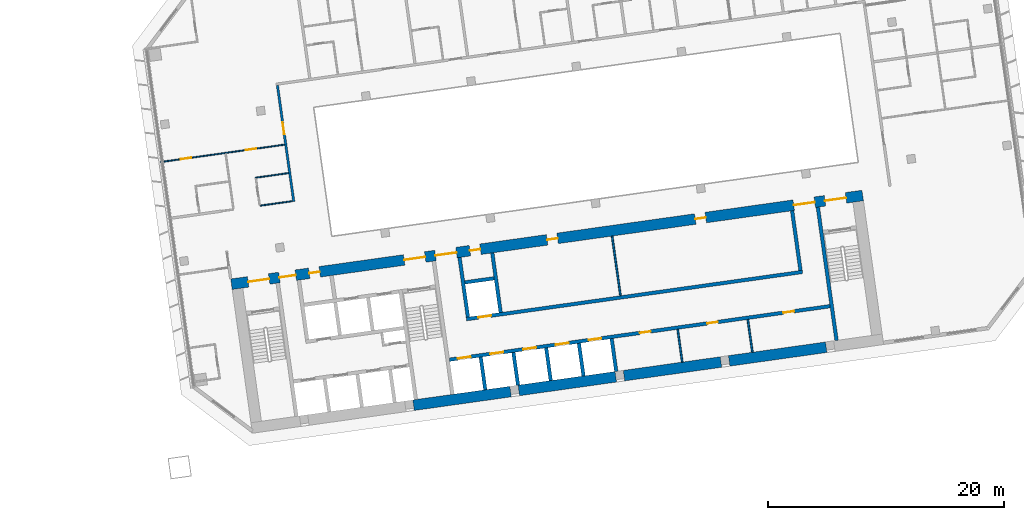
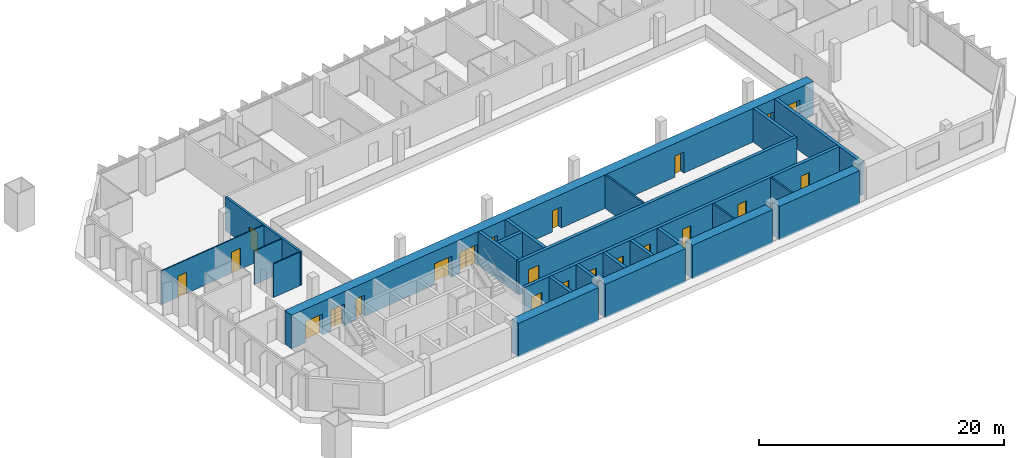
# One storey, part 20 of 25: 24 walls, 22 doors, 22 openings.
"""IFC4 building model written with IfcOpenShell, lengths in metres."""

from ifc_helpers import new_model, si_unit, direction, frame, frame_2d, origin, place, context, subcontext, project, spatial, rectangle, extrude, material, layer, layer_set, type_object, element, fill, save


model = new_model("IFC4")

# Units and contexts
model_context = context("Model", 3, precision=1e-05, world=origin(), true_north=direction((0.0, 1.0)))
body_context = subcontext(model_context, "Body", "Model", "MODEL_VIEW")
ifc_project = project(units=[si_unit("LENGTHUNIT", "METRE"), si_unit("AREAUNIT", "SQUARE_METRE"), si_unit("VOLUMEUNIT", "CUBIC_METRE"), si_unit("PLANEANGLEUNIT", "RADIAN"), si_unit("MASSUNIT", "GRAM", prefix="KILO")], contexts=[model_context])

# Site, building, storey
site_placement = place(None, origin())
site = spatial("IfcSite", under=ifc_project, at=site_placement, CompositionType="ELEMENT")
building_placement = place(site_placement, origin())
building = spatial("IfcBuilding", under=site, at=building_placement, Name="Mirante Cascada Hotel Towers", CompositionType="ELEMENT")
storey_placement = place(building_placement, frame((0.0, 0.0, 62.3)))
storey = spatial("IfcBuildingStorey", under=building, at=storey_placement, Name="L12", CompositionType="ELEMENT", Elevation=62.3)

# Wall, opening, door
ifc_material_1 = material(Name="Fire-rated plasterboard on metal studs")
ifc_layer_1 = layer(ifc_material_1, 0.2)
ifc_layer_set_1 = layer_set([ifc_layer_1], Name="Compartment wall 200 EI 120")
wall_type_1 = type_object("IfcWallType", Name="Compartment wall 200 EI 120", PredefinedType="PARTITIONING", material=ifc_layer_set_1)
wall_1_placement = place(storey_placement, frame((40.6028, -0.5604, 0.0), z_axis=(0.0, 0.0, 1.0), x_axis=(-0.1391655, 0.9902691, 0.0)))
wall_1 = element("IfcWall", 1, at=wall_1_placement, inside=storey, type_object=wall_type_1, Name="Wall 2-L12-37", PredefinedType="PARTITIONING", context=body_context, shape_type="SweptSolid", body=[
    extrude(rectangle(XDim=9.95, YDim=0.2, at=frame_2d((4.975, 0.0))), origin(), (0.0, 0.0, 1.0), 3.35),
])
opening_1_placement = place(wall_1_placement, frame((5.7666, 0.0, 0.0)))
opening_1 = element("IfcOpeningElement", 2, at=opening_1_placement, cuts=wall_1, Name="Opening D2-L12-31", PredefinedType="OPENING", context=body_context, shape_type="SweptSolid", body=[
    extrude(rectangle(XDim=1.0, YDim=2.1, at=frame_2d((0.5, 1.05))), frame((0.0, 0.1, 0.0), z_axis=(0.0, -1.0, 0.0), x_axis=(1.0, 0.0, 0.0)), (0.0, 0.0, 1.0), 0.2),
])
ifc_material_2 = material(Name="Fire-rated timber door leaf", Category="wood")
door_type_1 = type_object("IfcDoorType", Name="Entrance door DG1 1000x2100 EI 60", OperationType="SINGLE_SWING_LEFT", PredefinedType="DOOR", material=ifc_material_2)
door_1_placement = place(opening_1_placement, origin())
door_1 = element("IfcDoor", 3, at=door_1_placement, inside=storey, type_object=door_type_1, Name="Door D2-L12-31", OperationType="SINGLE_SWING_LEFT", OverallHeight=2.1, OverallWidth=1.0, PredefinedType="DOOR", context=body_context, shape_type="SweptSolid", body=[
    extrude(rectangle(XDim=1.0, YDim=2.1, at=frame_2d((0.5, 1.05))), frame((0.0, 0.025, 0.0), z_axis=(0.0, -1.0, 0.0), x_axis=(1.0, 0.0, 0.0)), (0.0, 0.0, 1.0), 0.05),
])
fill(opening_1, door_1)

# Walls
ifc_material_3 = material(Name="Masonry block", Category="masonry")
ifc_layer_2 = layer(ifc_material_3, 0.15)
ifc_layer_set_2 = layer_set([ifc_layer_2], Name="Core room partition 150 block EI 30")
wall_type_2 = type_object("IfcWallType", Name="Core room partition 150 block EI 30", PredefinedType="PARTITIONING", material=ifc_layer_set_2)
wall_2_placement = place(storey_placement, frame((73.5161, -14.1621, 0.0), z_axis=(0.0, 0.0, 1.0), x_axis=(-0.139176, 0.9902677, 0.0)))
element("IfcWall", 4, at=wall_2_placement, inside=storey, type_object=wall_type_2, Name="Core wall partition T2 L12 4", PredefinedType="PARTITIONING", context=body_context, shape_type="SweptSolid", body=[
    extrude(rectangle(XDim=2.8001, YDim=0.15, at=frame_2d((1.4, 0.0))), origin(), (0.0, 0.0, 1.0), 3.35),
])
wall_3_placement = place(storey_placement, frame((79.4577, -13.327, 0.0), z_axis=(0.0, 0.0, 1.0), x_axis=(-0.1391459, 0.9902719, 0.0)))
element("IfcWall", 5, at=wall_3_placement, inside=storey, type_object=wall_type_2, Name="Core wall partition T2 L12 5", PredefinedType="PARTITIONING", context=body_context, shape_type="SweptSolid", body=[
    extrude(rectangle(XDim=2.7999, YDim=0.15, at=frame_2d((1.4, 0.0))), origin(), (0.0, 0.0, 1.0), 3.35),
])
wall_4_placement = place(storey_placement, frame((68.2822, -8.5358, 0.0), z_axis=(0.0, 0.0, 1.0), x_axis=(-0.1391755, 0.9902677, 0.0)))
element("IfcWall", 6, at=wall_4_placement, inside=storey, type_object=wall_type_2, Name="Core wall partition T2 L12 6", PredefinedType="PARTITIONING", context=body_context, shape_type="SweptSolid", body=[
    extrude(rectangle(XDim=5.1, YDim=0.15, at=frame_2d((2.55, 0.0))), origin(), (0.0, 0.0, 1.0), 3.35),
])
ifc_material_4 = material(Name="Plasterboard on metal studs")
ifc_layer_3 = layer(ifc_material_4, 0.1)
ifc_layer_set_3 = layer_set([ifc_layer_3], Name="Partition 100")
wall_type_3 = type_object("IfcWallType", Name="Partition 100", PredefinedType="PARTITIONING", material=ifc_layer_set_3)
wall_5_placement = place(storey_placement, frame((40.4671, -0.5289, 0.0), z_axis=(0.0, 0.0, 1.0), x_axis=(-0.9902645, -0.1391984, 0.0)))
element("IfcWall", 7, at=wall_5_placement, inside=storey, type_object=wall_type_3, Name="Wall 2-L12-06", PredefinedType="PARTITIONING", context=body_context, shape_type="SweptSolid", body=[
    extrude(rectangle(XDim=2.74, YDim=0.1, at=frame_2d((1.37, 0.0))), origin(), (0.0, 0.0, 1.0), 3.35),
])
wall_6_placement = place(storey_placement, frame((37.3406, 1.4552, 0.0), z_axis=(0.0, 0.0, 1.0), x_axis=(0.9902649, 0.1391957, 0.0)))
element("IfcWall", 8, at=wall_6_placement, inside=storey, type_object=wall_type_3, Name="Wall 2-L12-09", PredefinedType="PARTITIONING", context=body_context, shape_type="SweptSolid", body=[
    extrude(rectangle(XDim=2.8499, YDim=0.1, at=frame_2d((1.425, 0.0))), origin(), (0.0, 0.0, 1.0), 3.35),
])

# Wall, openings, doors
wall_7_placement = place(storey_placement, frame((39.8242, 4.2615, 0.0), z_axis=(0.0, 0.0, 1.0), x_axis=(-0.9902686, -0.1391691, 0.0)))
wall_7 = element("IfcWall", 9, at=wall_7_placement, inside=storey, type_object=wall_type_3, Name="Wall 2-L12-12", PredefinedType="PARTITIONING", context=body_context, shape_type="SweptSolid", body=[
    extrude(rectangle(XDim=10.6001, YDim=0.1, at=frame_2d((5.3, 0.0))), origin(), (0.0, 0.0, 1.0), 3.35),
])
opening_2_placement = place(wall_7_placement, frame((7.975, 0.0, 0.0)))
opening_2 = element("IfcOpeningElement", 10, at=opening_2_placement, cuts=wall_7, Name="Opening D2-L12-04", PredefinedType="OPENING", context=body_context, shape_type="SweptSolid", body=[
    extrude(rectangle(XDim=0.9, YDim=2.1, at=frame_2d((0.45, 1.05))), frame((0.0, 0.05, 0.0), z_axis=(0.0, -1.0, 0.0), x_axis=(1.0, 0.0, 0.0)), (0.0, 0.0, 1.0), 0.1),
])
opening_3_placement = place(wall_7_placement, frame((2.425, 0.0, 0.0)))
opening_3 = element("IfcOpeningElement", 11, at=opening_3_placement, cuts=wall_7, Name="Opening D2-L12-05", PredefinedType="OPENING", context=body_context, shape_type="SweptSolid", body=[
    extrude(rectangle(XDim=0.9, YDim=2.1, at=frame_2d((0.45, 1.05))), frame((0.0, 0.05, 0.0), z_axis=(0.0, -1.0, 0.0), x_axis=(1.0, 0.0, 0.0)), (0.0, 0.0, 1.0), 0.1),
])
ifc_material_5 = material(Name="Timber door leaf", Category="wood")
door_type_2 = type_object("IfcDoorType", Name="Room door DG3 900x2100", OperationType="SINGLE_SWING_LEFT", PredefinedType="DOOR", material=ifc_material_5)
door_2_placement = place(opening_2_placement, frame((0.9, 0.0, 0.0), z_axis=(0.0, 0.0, 1.0), x_axis=(-1.0, 0.0, 0.0)))
door_2 = element("IfcDoor", 12, at=door_2_placement, inside=storey, type_object=door_type_2, Name="Door D2-L12-04", OperationType="SINGLE_SWING_RIGHT", OverallHeight=2.1, OverallWidth=0.9, PredefinedType="DOOR", context=body_context, shape_type="SweptSolid", body=[
    extrude(rectangle(XDim=0.9, YDim=2.1, at=frame_2d((0.45, 1.05))), frame((0.0, 0.025, 0.0), z_axis=(0.0, -1.0, 0.0), x_axis=(1.0, 0.0, 0.0)), (0.0, 0.0, 1.0), 0.05),
])
fill(opening_2, door_2)
door_3_placement = place(opening_3_placement, frame((0.9, 0.0, 0.0), z_axis=(0.0, 0.0, 1.0), x_axis=(-1.0, 0.0, 0.0)))
door_3 = element("IfcDoor", 13, at=door_3_placement, inside=storey, type_object=door_type_2, Name="Door D2-L12-05", OperationType="SINGLE_SWING_RIGHT", OverallHeight=2.1, OverallWidth=0.9, PredefinedType="DOOR", context=body_context, shape_type="SweptSolid", body=[
    extrude(rectangle(XDim=0.9, YDim=2.1, at=frame_2d((0.45, 1.05))), frame((0.0, 0.025, 0.0), z_axis=(0.0, -1.0, 0.0), x_axis=(1.0, 0.0, 0.0)), (0.0, 0.0, 1.0), 0.05),
])
fill(opening_3, door_3)

# Wall
ifc_material_6 = material(Name="Concrete C50/60", Category="concrete")
ifc_layer_4 = layer(ifc_material_6, 0.3)
ifc_layer_set_4 = layer_set([ifc_layer_4], Name="RC core wall 300 C50/60")
wall_type_4 = type_object("IfcWallType", Name="RC core wall 300 C50/60", PredefinedType="SHEAR", material=ifc_layer_set_4)
wall_8_placement = place(storey_placement, frame((86.5877, -12.325, 0.0), z_axis=(0.0, 0.0, 1.0), x_axis=(-0.1391749, 0.9902678, 0.0)))
element("IfcWall", 14, at=wall_8_placement, inside=storey, type_object=wall_type_4, Name="Core wall T2:L12:8", PredefinedType="SHEAR", context=body_context, shape_type="SweptSolid", body=[
    extrude(rectangle(XDim=11.4, YDim=0.3, at=frame_2d((5.7, 0.0))), origin(), (0.0, 0.0, 1.0), 3.35),
])

# Wall, openings, doors
wall_9_placement = place(storey_placement, frame((53.7953, -13.9547, 0.0), z_axis=(0.0, 0.0, 1.0), x_axis=(0.990268, 0.1391733, 0.0)))
wall_9 = element("IfcWall", 15, at=wall_9_placement, inside=storey, type_object=wall_type_4, Name="Core wall T2:L12:24", PredefinedType="SHEAR", context=body_context, shape_type="SweptSolid", body=[
    extrude(rectangle(XDim=32.5501, YDim=0.3, at=frame_2d((16.275, 0.0))), origin(), (0.0, 0.0, 1.0), 3.35),
])
opening_4_placement = place(wall_9_placement, frame((0.7, 0.0, 0.0)))
opening_4 = element("IfcOpeningElement", 16, at=opening_4_placement, cuts=wall_9, Name="Opening LD", PredefinedType="OPENING", context=body_context, shape_type="SweptSolid", body=[
    extrude(rectangle(XDim=1.1, YDim=2.1, at=frame_2d((0.55, 1.05))), frame((0.0, 0.15, 0.0), z_axis=(0.0, -1.0, 0.0), x_axis=(1.0, 0.0, 0.0)), (0.0, 0.0, 1.0), 0.3),
])
opening_5_placement = place(wall_9_placement, frame((3.5, 0.0, 0.0)))
opening_5 = element("IfcOpeningElement", 17, at=opening_5_placement, cuts=wall_9, Name="Opening LD", PredefinedType="OPENING", context=body_context, shape_type="SweptSolid", body=[
    extrude(rectangle(XDim=1.1, YDim=2.1, at=frame_2d((0.55, 1.05))), frame((0.0, 0.15, 0.0), z_axis=(0.0, -1.0, 0.0), x_axis=(1.0, 0.0, 0.0)), (0.0, 0.0, 1.0), 0.3),
])
opening_6_placement = place(wall_9_placement, frame((6.3, 0.0, 0.0)))
opening_6 = element("IfcOpeningElement", 18, at=opening_6_placement, cuts=wall_9, Name="Opening LD", PredefinedType="OPENING", context=body_context, shape_type="SweptSolid", body=[
    extrude(rectangle(XDim=1.1, YDim=2.1, at=frame_2d((0.55, 1.05))), frame((0.0, 0.15, 0.0), z_axis=(0.0, -1.0, 0.0), x_axis=(1.0, 0.0, 0.0)), (0.0, 0.0, 1.0), 0.3),
])
opening_7_placement = place(wall_9_placement, frame((9.1, 0.0, 0.0)))
opening_7 = element("IfcOpeningElement", 19, at=opening_7_placement, cuts=wall_9, Name="Opening LD", PredefinedType="OPENING", context=body_context, shape_type="SweptSolid", body=[
    extrude(rectangle(XDim=1.1, YDim=2.1, at=frame_2d((0.55, 1.05))), frame((0.0, 0.15, 0.0), z_axis=(0.0, -1.0, 0.0), x_axis=(1.0, 0.0, 0.0)), (0.0, 0.0, 1.0), 0.3),
])
opening_8_placement = place(wall_9_placement, frame((11.9, 0.0, 0.0)))
opening_8 = element("IfcOpeningElement", 20, at=opening_8_placement, cuts=wall_9, Name="Opening LD", PredefinedType="OPENING", context=body_context, shape_type="SweptSolid", body=[
    extrude(rectangle(XDim=1.1, YDim=2.1, at=frame_2d((0.55, 1.05))), frame((0.0, 0.15, 0.0), z_axis=(0.0, -1.0, 0.0), x_axis=(1.0, 0.0, 0.0)), (0.0, 0.0, 1.0), 0.3),
])
opening_9_placement = place(wall_9_placement, frame((16.3, 0.0, 0.0)))
opening_9 = element("IfcOpeningElement", 21, at=opening_9_placement, cuts=wall_9, Name="Opening D2-12-C25", PredefinedType="OPENING", context=body_context, shape_type="SweptSolid", body=[
    extrude(rectangle(XDim=0.9, YDim=2.1, at=frame_2d((0.45, 1.05))), frame((0.0, 0.15, 0.0), z_axis=(0.0, -1.0, 0.0), x_axis=(1.0, 0.0, 0.0)), (0.0, 0.0, 1.0), 0.3),
])
opening_10_placement = place(wall_9_placement, frame((22.05, 0.0, 0.0)))
opening_10 = element("IfcOpeningElement", 22, at=opening_10_placement, cuts=wall_9, Name="Opening D2-12-C26", PredefinedType="OPENING", context=body_context, shape_type="SweptSolid", body=[
    extrude(rectangle(XDim=0.9, YDim=2.1, at=frame_2d((0.45, 1.05))), frame((0.0, 0.15, 0.0), z_axis=(0.0, -1.0, 0.0), x_axis=(1.0, 0.0, 0.0)), (0.0, 0.0, 1.0), 0.3),
])
opening_11_placement = place(wall_9_placement, frame((28.575, 0.0, 0.0)))
opening_11 = element("IfcOpeningElement", 23, at=opening_11_placement, cuts=wall_9, Name="Opening D2-12-C27", PredefinedType="OPENING", context=body_context, shape_type="SweptSolid", body=[
    extrude(rectangle(XDim=0.9, YDim=2.1, at=frame_2d((0.45, 1.05))), frame((0.0, 0.15, 0.0), z_axis=(0.0, -1.0, 0.0), x_axis=(1.0, 0.0, 0.0)), (0.0, 0.0, 1.0), 0.3),
])
ifc_material_7 = material(Name="Hollow metal fire door leaf")
door_type_3 = type_object("IfcDoorType", Name="Fire door 900x2100 FD60", OperationType="NOTDEFINED", PredefinedType="DOOR", material=ifc_material_7)
door_4_placement = place(opening_9_placement, frame((0.9, 0.0, 0.0), z_axis=(0.0, 0.0, 1.0), x_axis=(-1.0, 0.0, 0.0)))
door_4 = element("IfcDoor", 24, at=door_4_placement, inside=storey, type_object=door_type_3, Name="Room door T2 L12 25", OperationType="SINGLE_SWING_RIGHT", OverallHeight=2.1, OverallWidth=0.9, PredefinedType="DOOR", context=body_context, shape_type="SweptSolid", body=[
    extrude(rectangle(XDim=0.9, YDim=2.1, at=frame_2d((0.45, 1.05))), frame((0.0, 0.025, 0.0), z_axis=(0.0, -1.0, 0.0), x_axis=(1.0, 0.0, 0.0)), (0.0, 0.0, 1.0), 0.05),
])
fill(opening_9, door_4)
door_5_placement = place(opening_10_placement, frame((0.9, 0.0, 0.0), z_axis=(0.0, 0.0, 1.0), x_axis=(-1.0, 0.0, 0.0)))
door_5 = element("IfcDoor", 25, at=door_5_placement, inside=storey, type_object=door_type_3, Name="Room door T2 L12 26", OperationType="SINGLE_SWING_RIGHT", OverallHeight=2.1, OverallWidth=0.9, PredefinedType="DOOR", context=body_context, shape_type="SweptSolid", body=[
    extrude(rectangle(XDim=0.9, YDim=2.1, at=frame_2d((0.45, 1.05))), frame((0.0, 0.025, 0.0), z_axis=(0.0, -1.0, 0.0), x_axis=(1.0, 0.0, 0.0)), (0.0, 0.0, 1.0), 0.05),
])
fill(opening_10, door_5)
door_6_placement = place(opening_11_placement, frame((0.9, 0.0, 0.0), z_axis=(0.0, 0.0, 1.0), x_axis=(-1.0, 0.0, 0.0)))
door_6 = element("IfcDoor", 26, at=door_6_placement, inside=storey, type_object=door_type_3, Name="Room door T2 L12 27", OperationType="SINGLE_SWING_RIGHT", OverallHeight=2.1, OverallWidth=0.9, PredefinedType="DOOR", context=body_context, shape_type="SweptSolid", body=[
    extrude(rectangle(XDim=0.9, YDim=2.1, at=frame_2d((0.45, 1.05))), frame((0.0, 0.025, 0.0), z_axis=(0.0, -1.0, 0.0), x_axis=(1.0, 0.0, 0.0)), (0.0, 0.0, 1.0), 0.05),
])
fill(opening_11, door_6)
ifc_material_8 = material(Name="Stainless steel", Category="steel")
door_type_4 = type_object("IfcDoorType", Name="Lift landing door 1100x2100 EI 120", OperationType="DOUBLE_DOOR_SLIDING", PredefinedType="DOOR", material=ifc_material_8)
door_7_placement = place(opening_4_placement, origin())
door_7 = element("IfcDoor", 27, at=door_7_placement, inside=storey, type_object=door_type_4, Name="Lift landing door LR2-1 L12", OperationType="DOUBLE_DOOR_SLIDING", OverallHeight=2.1, OverallWidth=1.1, PredefinedType="DOOR", context=body_context, shape_type="SweptSolid", body=[
    extrude(rectangle(XDim=0.545, YDim=2.1, at=frame_2d((0.2725, 1.05))), frame((0.0, 0.025, 0.0), z_axis=(0.0, -1.0, 0.0), x_axis=(1.0, 0.0, 0.0)), (0.0, 0.0, 1.0), 0.05),
    extrude(rectangle(XDim=0.545, YDim=2.1, at=frame_2d((0.8275, 1.05))), frame((0.0, 0.025, 0.0), z_axis=(0.0, -1.0, 0.0), x_axis=(1.0, 0.0, 0.0)), (0.0, 0.0, 1.0), 0.05),
])
fill(opening_4, door_7)
door_8_placement = place(opening_5_placement, origin())
door_8 = element("IfcDoor", 28, at=door_8_placement, inside=storey, type_object=door_type_4, Name="Lift landing door LR2-2 L12", OperationType="DOUBLE_DOOR_SLIDING", OverallHeight=2.1, OverallWidth=1.1, PredefinedType="DOOR", context=body_context, shape_type="SweptSolid", body=[
    extrude(rectangle(XDim=0.545, YDim=2.1, at=frame_2d((0.2725, 1.05))), frame((0.0, 0.025, 0.0), z_axis=(0.0, -1.0, 0.0), x_axis=(1.0, 0.0, 0.0)), (0.0, 0.0, 1.0), 0.05),
    extrude(rectangle(XDim=0.545, YDim=2.1, at=frame_2d((0.8275, 1.05))), frame((0.0, 0.025, 0.0), z_axis=(0.0, -1.0, 0.0), x_axis=(1.0, 0.0, 0.0)), (0.0, 0.0, 1.0), 0.05),
])
fill(opening_5, door_8)
door_9_placement = place(opening_6_placement, origin())
door_9 = element("IfcDoor", 29, at=door_9_placement, inside=storey, type_object=door_type_4, Name="Lift landing door SV2-1 L12", OperationType="DOUBLE_DOOR_SLIDING", OverallHeight=2.1, OverallWidth=1.1, PredefinedType="DOOR", context=body_context, shape_type="SweptSolid", body=[
    extrude(rectangle(XDim=0.545, YDim=2.1, at=frame_2d((0.2725, 1.05))), frame((0.0, 0.025, 0.0), z_axis=(0.0, -1.0, 0.0), x_axis=(1.0, 0.0, 0.0)), (0.0, 0.0, 1.0), 0.05),
    extrude(rectangle(XDim=0.545, YDim=2.1, at=frame_2d((0.8275, 1.05))), frame((0.0, 0.025, 0.0), z_axis=(0.0, -1.0, 0.0), x_axis=(1.0, 0.0, 0.0)), (0.0, 0.0, 1.0), 0.05),
])
fill(opening_6, door_9)
door_10_placement = place(opening_7_placement, origin())
door_10 = element("IfcDoor", 30, at=door_10_placement, inside=storey, type_object=door_type_4, Name="Lift landing door SV2-2 L12", OperationType="DOUBLE_DOOR_SLIDING", OverallHeight=2.1, OverallWidth=1.1, PredefinedType="DOOR", context=body_context, shape_type="SweptSolid", body=[
    extrude(rectangle(XDim=0.545, YDim=2.1, at=frame_2d((0.2725, 1.05))), frame((0.0, 0.025, 0.0), z_axis=(0.0, -1.0, 0.0), x_axis=(1.0, 0.0, 0.0)), (0.0, 0.0, 1.0), 0.05),
    extrude(rectangle(XDim=0.545, YDim=2.1, at=frame_2d((0.8275, 1.05))), frame((0.0, 0.025, 0.0), z_axis=(0.0, -1.0, 0.0), x_axis=(1.0, 0.0, 0.0)), (0.0, 0.0, 1.0), 0.05),
])
fill(opening_7, door_10)
door_11_placement = place(opening_8_placement, origin())
door_11 = element("IfcDoor", 31, at=door_11_placement, inside=storey, type_object=door_type_4, Name="Lift landing door SV2-3 L12", OperationType="DOUBLE_DOOR_SLIDING", OverallHeight=2.1, OverallWidth=1.1, PredefinedType="DOOR", context=body_context, shape_type="SweptSolid", body=[
    extrude(rectangle(XDim=0.545, YDim=2.1, at=frame_2d((0.2725, 1.05))), frame((0.0, 0.025, 0.0), z_axis=(0.0, -1.0, 0.0), x_axis=(1.0, 0.0, 0.0)), (0.0, 0.0, 1.0), 0.05),
    extrude(rectangle(XDim=0.545, YDim=2.1, at=frame_2d((0.8275, 1.05))), frame((0.0, 0.025, 0.0), z_axis=(0.0, -1.0, 0.0), x_axis=(1.0, 0.0, 0.0)), (0.0, 0.0, 1.0), 0.05),
])
fill(opening_8, door_11)

# Walls
for number, where, z_axis, x_axis, name in (
    (32, (56.8301, -16.5072, 0.0), (0.0, 0.0, 1.0), (-0.139176, 0.9902677, 0.0), "Core wall T2:L12:25"),
    (33, (59.6029, -16.1175, 0.0), (0.0, 0.0, 1.0), (-0.139176, 0.9902677, 0.0), "Core wall T2:L12:26"),
    (34, (62.3756, -15.7278, 0.0), (0.0, 0.0, 1.0), (-0.139176, 0.9902677, 0.0), "Core wall T2:L12:27"),
    (35, (65.1484, -15.3381, 0.0), (0.0, 0.0, 1.0), (-0.139176, 0.9902677, 0.0), "Core wall T2:L12:28"),
):
    element("IfcWall", number, at=place(storey_placement, frame(where, z_axis=z_axis, x_axis=x_axis)), inside=storey, type_object=wall_type_4, Name=name, PredefinedType="SHEAR", context=body_context, shape_type="SweptSolid", body=[
        extrude(rectangle(XDim=2.8001, YDim=0.3, at=frame_2d((1.4, 0.0))), origin(), (0.0, 0.0, 1.0), 3.35),
    ])
wall_10_placement = place(storey_placement, frame((67.9211, -14.9484, 0.0), z_axis=(0.0, 0.0, 1.0), x_axis=(-0.139181, 0.990267, 0.0)))
element("IfcWall", 36, at=wall_10_placement, inside=storey, type_object=wall_type_4, Name="Core wall T2:L12:29", PredefinedType="SHEAR", context=body_context, shape_type="SweptSolid", body=[
    extrude(rectangle(XDim=2.8, YDim=0.3, at=frame_2d((1.4, 0.0))), origin(), (0.0, 0.0, 1.0), 3.35),
])

# Wall, opening, door
wall_11_placement = place(storey_placement, frame((55.2315, -10.5214, 0.0), z_axis=(0.0, 0.0, 1.0), x_axis=(0.9902682, 0.1391722, 0.0)))
wall_11 = element("IfcWall", 37, at=wall_11_placement, inside=storey, type_object=wall_type_4, Name="Core wall T2:L12:32", PredefinedType="SHEAR", context=body_context, shape_type="SweptSolid", body=[
    extrude(rectangle(XDim=28.75, YDim=0.3, at=frame_2d((14.375, 0.0))), origin(), (0.0, 0.0, 1.0), 3.35),
])
opening_12_placement = place(wall_11_placement, frame((1.0, 0.0, 0.0)))
opening_12 = element("IfcOpeningElement", 38, at=opening_12_placement, cuts=wall_11, Name="Opening LD", PredefinedType="OPENING", context=body_context, shape_type="SweptSolid", body=[
    extrude(rectangle(XDim=1.1, YDim=2.1, at=frame_2d((0.55, 1.05))), frame((0.0, 0.15, 0.0), z_axis=(0.0, -1.0, 0.0), x_axis=(1.0, 0.0, 0.0)), (0.0, 0.0, 1.0), 0.3),
])
door_12_placement = place(opening_12_placement, origin())
door_12 = element("IfcDoor", 39, at=door_12_placement, inside=storey, type_object=door_type_4, Name="Lift landing door LR2-3 L12", OperationType="DOUBLE_DOOR_SLIDING", OverallHeight=2.1, OverallWidth=1.1, PredefinedType="DOOR", context=body_context, shape_type="SweptSolid", body=[
    extrude(rectangle(XDim=0.545, YDim=2.1, at=frame_2d((0.2725, 1.05))), frame((0.0, 0.025, 0.0), z_axis=(0.0, -1.0, 0.0), x_axis=(1.0, 0.0, 0.0)), (0.0, 0.0, 1.0), 0.05),
    extrude(rectangle(XDim=0.545, YDim=2.1, at=frame_2d((0.8275, 1.05))), frame((0.0, 0.025, 0.0), z_axis=(0.0, -1.0, 0.0), x_axis=(1.0, 0.0, 0.0)), (0.0, 0.0, 1.0), 0.05),
])
fill(opening_12, door_12)

# Walls
for number, where, z_axis, x_axis, name in (
    (40, (55.3592, -10.352, 0.0), (0.0, 0.0, 1.0), (-0.1391755, 0.9902677, 0.0), "Core wall T2:L12:33"),
    (41, (83.5323, -6.3925, 0.0), (0.0, 0.0, 1.0), (-0.1391755, 0.9902677, 0.0), "Core wall T2:L12:34"),
    (42, (58.1319, -9.9623, 0.0), (0.0, 0.0, 1.0), (-0.1391755, 0.9902677, 0.0), "Core wall T2:L12:35"),
):
    element("IfcWall", number, at=place(storey_placement, frame(where, z_axis=z_axis, x_axis=x_axis)), inside=storey, type_object=wall_type_4, Name=name, PredefinedType="SHEAR", context=body_context, shape_type="SweptSolid", body=[
        extrude(rectangle(XDim=5.1, YDim=0.3, at=frame_2d((2.55, 0.0))), origin(), (0.0, 0.0, 1.0), 3.35),
    ])
wall_12_placement = place(storey_placement, frame((55.0971, -7.4098, 0.0), z_axis=(0.0, 0.0, 1.0), x_axis=(0.9902701, 0.1391586, 0.0)))
element("IfcWall", 43, at=wall_12_placement, inside=storey, type_object=wall_type_4, Name="Core wall T2:L12:36", PredefinedType="SHEAR", context=body_context, shape_type="SweptSolid", body=[
    extrude(rectangle(XDim=2.5, YDim=0.3, at=frame_2d((1.25, 0.0))), origin(), (0.0, 0.0, 1.0), 3.35),
])
ifc_material_9 = material(Name="Concrete C50/60", Category="concrete")
ifc_layer_5 = layer(ifc_material_9, 0.9)
ifc_layer_set_5 = layer_set([ifc_layer_5], Name="RC core wall 900 C50/60")
wall_type_5 = type_object("IfcWallType", Name="RC core wall 900 C50/60", PredefinedType="SHEAR", material=ifc_layer_set_5)
for number, where, z_axis, x_axis, name in (
    (44, (50.7531, -17.8156, 0.0), (0.0, 0.0, 1.0), (0.9902686, 0.1391692, 0.0), "Core wall T2:L12:1.3"),
    (45, (59.6655, -16.5631, 0.0), (0.0, 0.0, 1.0), (0.9902686, 0.1391692, 0.0), "Core wall T2:L12:1.4"),
    (46, (68.5779, -15.3105, 0.0), (0.0, 0.0, 1.0), (0.9902686, 0.1391692, 0.0), "Core wall T2:L12:1.5"),
    (47, (77.4903, -14.058, 0.0), (0.0, 0.0, 1.0), (0.990267, 0.139181, 0.0), "Core wall T2:L12:1.6"),
):
    element("IfcWall", number, at=place(storey_placement, frame(where, z_axis=z_axis, x_axis=x_axis)), inside=storey, type_object=wall_type_5, Name=name, PredefinedType="SHEAR", context=body_context, shape_type="SweptSolid", body=[
        extrude(rectangle(XDim=8.3, YDim=0.9, at=frame_2d((4.15, 0.0))), origin(), (0.0, 0.0, 1.0), 3.35),
    ])

# Wall, openings, doors
wall_13_placement = place(storey_placement, frame((35.326, -7.5629, 0.0), z_axis=(0.0, 0.0, 1.0), x_axis=(0.9902679, 0.139174, 0.0)))
wall_13 = element("IfcWall", 48, at=wall_13_placement, inside=storey, type_object=wall_type_5, Name="Core wall T2:L12:2", PredefinedType="SHEAR", context=body_context, shape_type="SweptSolid", body=[
    extrude(rectangle(XDim=54.0, YDim=0.9, at=frame_2d((27.0, 0.0))), origin(), (0.0, 0.0, 1.0), 3.35),
])
opening_13_placement = place(wall_13_placement, frame((1.425, 0.0, 0.0)))
opening_13 = element("IfcOpeningElement", 49, at=opening_13_placement, cuts=wall_13, Name="Opening D2-12-C14", PredefinedType="OPENING", context=body_context, shape_type="SweptSolid", body=[
    extrude(rectangle(XDim=1.8, YDim=2.1, at=frame_2d((0.9, 1.05))), frame((0.0, 0.45, 0.0), z_axis=(0.0, -1.0, 0.0), x_axis=(1.0, 0.0, 0.0)), (0.0, 0.0, 1.0), 0.9),
])
opening_14_placement = place(wall_13_placement, frame((14.775, 0.0, 0.0)))
opening_14 = element("IfcOpeningElement", 50, at=opening_14_placement, cuts=wall_13, Name="Opening D2-12-C16", PredefinedType="OPENING", context=body_context, shape_type="SweptSolid", body=[
    extrude(rectangle(XDim=1.8, YDim=2.1, at=frame_2d((0.9, 1.05))), frame((0.0, 0.45, 0.0), z_axis=(0.0, -1.0, 0.0), x_axis=(1.0, 0.0, 0.0)), (0.0, 0.0, 1.0), 0.9),
])
opening_15_placement = place(wall_13_placement, frame((50.775, 0.0, 0.0)))
opening_15 = element("IfcOpeningElement", 51, at=opening_15_placement, cuts=wall_13, Name="Opening D2-12-C18", PredefinedType="OPENING", context=body_context, shape_type="SweptSolid", body=[
    extrude(rectangle(XDim=1.8, YDim=2.1, at=frame_2d((0.9, 1.05))), frame((0.0, 0.45, 0.0), z_axis=(0.0, -1.0, 0.0), x_axis=(1.0, 0.0, 0.0)), (0.0, 0.0, 1.0), 0.9),
])
opening_16_placement = place(wall_13_placement, frame((4.1, 0.0, 0.0)))
opening_16 = element("IfcOpeningElement", 52, at=opening_16_placement, cuts=wall_13, Name="Opening D2-12-C19", PredefinedType="OPENING", context=body_context, shape_type="SweptSolid", body=[
    extrude(rectangle(XDim=1.4, YDim=2.1, at=frame_2d((0.7, 1.05))), frame((0.0, 0.45, 0.0), z_axis=(0.0, -1.0, 0.0), x_axis=(1.0, 0.0, 0.0)), (0.0, 0.0, 1.0), 0.9),
])
opening_17_placement = place(wall_13_placement, frame((17.45, 0.0, 0.0)))
opening_17 = element("IfcOpeningElement", 53, at=opening_17_placement, cuts=wall_13, Name="Opening D2-12-C20", PredefinedType="OPENING", context=body_context, shape_type="SweptSolid", body=[
    extrude(rectangle(XDim=1.8, YDim=2.1, at=frame_2d((0.9, 1.05))), frame((0.0, 0.45, 0.0), z_axis=(0.0, -1.0, 0.0), x_axis=(1.0, 0.0, 0.0)), (0.0, 0.0, 1.0), 0.9),
])
opening_18_placement = place(wall_13_placement, frame((48.1, 0.0, 0.0)))
opening_18 = element("IfcOpeningElement", 54, at=opening_18_placement, cuts=wall_13, Name="Opening D2-12-C21", PredefinedType="OPENING", context=body_context, shape_type="SweptSolid", body=[
    extrude(rectangle(XDim=1.8, YDim=2.1, at=frame_2d((0.9, 1.05))), frame((0.0, 0.45, 0.0), z_axis=(0.0, -1.0, 0.0), x_axis=(1.0, 0.0, 0.0)), (0.0, 0.0, 1.0), 0.9),
])
opening_19_placement = place(wall_13_placement, frame((6.65, 0.0, 0.0)))
opening_19 = element("IfcOpeningElement", 55, at=opening_19_placement, cuts=wall_13, Name="Opening D2-12-C24", PredefinedType="OPENING", context=body_context, shape_type="SweptSolid", body=[
    extrude(rectangle(XDim=0.9, YDim=2.1, at=frame_2d((0.45, 1.05))), frame((0.0, 0.45, 0.0), z_axis=(0.0, -1.0, 0.0), x_axis=(1.0, 0.0, 0.0)), (0.0, 0.0, 1.0), 0.9),
])
opening_20_placement = place(wall_13_placement, frame((20.4, 0.0, 0.0)))
opening_20 = element("IfcOpeningElement", 56, at=opening_20_placement, cuts=wall_13, Name="Opening D2-12-C28", PredefinedType="OPENING", context=body_context, shape_type="SweptSolid", body=[
    extrude(rectangle(XDim=0.9, YDim=2.1, at=frame_2d((0.45, 1.05))), frame((0.0, 0.45, 0.0), z_axis=(0.0, -1.0, 0.0), x_axis=(1.0, 0.0, 0.0)), (0.0, 0.0, 1.0), 0.9),
])
opening_21_placement = place(wall_13_placement, frame((27.0, 0.0, 0.0)))
opening_21 = element("IfcOpeningElement", 57, at=opening_21_placement, cuts=wall_13, Name="Opening D2-12-C29", PredefinedType="OPENING", context=body_context, shape_type="SweptSolid", body=[
    extrude(rectangle(XDim=0.9, YDim=2.1, at=frame_2d((0.45, 1.05))), frame((0.0, 0.45, 0.0), z_axis=(0.0, -1.0, 0.0), x_axis=(1.0, 0.0, 0.0)), (0.0, 0.0, 1.0), 0.9),
])
opening_22_placement = place(wall_13_placement, frame((39.675, 0.0, 0.0)))
opening_22 = element("IfcOpeningElement", 58, at=opening_22_placement, cuts=wall_13, Name="Opening D2-12-C30", PredefinedType="OPENING", context=body_context, shape_type="SweptSolid", body=[
    extrude(rectangle(XDim=0.9, YDim=2.1, at=frame_2d((0.45, 1.05))), frame((0.0, 0.45, 0.0), z_axis=(0.0, -1.0, 0.0), x_axis=(1.0, 0.0, 0.0)), (0.0, 0.0, 1.0), 0.9),
])
ifc_material_10 = material(Name="Hollow metal fire door leaf")
door_type_5 = type_object("IfcDoorType", Name="Double fire door 1400x2100 FD60", OperationType="DOUBLE_DOOR_SINGLE_SWING", PredefinedType="DOOR", material=ifc_material_10)
door_13_placement = place(opening_16_placement, origin())
door_13 = element("IfcDoor", 59, at=door_13_placement, inside=storey, type_object=door_type_5, Name="Exit door to gallery T2 L12 19", OperationType="DOUBLE_DOOR_SINGLE_SWING", OverallHeight=2.1, OverallWidth=1.4, PredefinedType="DOOR", context=body_context, shape_type="SweptSolid", body=[
    extrude(rectangle(XDim=0.695, YDim=2.1, at=frame_2d((0.3475, 1.05))), frame((0.0, 0.025, 0.0), z_axis=(0.0, -1.0, 0.0), x_axis=(1.0, 0.0, 0.0)), (0.0, 0.0, 1.0), 0.05),
    extrude(rectangle(XDim=0.695, YDim=2.1, at=frame_2d((1.0525, 1.05))), frame((0.0, 0.025, 0.0), z_axis=(0.0, -1.0, 0.0), x_axis=(1.0, 0.0, 0.0)), (0.0, 0.0, 1.0), 0.05),
])
fill(opening_16, door_13)
ifc_material_11 = material(Name="Hollow metal fire door leaf")
door_type_6 = type_object("IfcDoorType", Name="Double fire door 1800x2100 FD60", OperationType="DOUBLE_DOOR_SINGLE_SWING", PredefinedType="DOOR", material=ifc_material_11)
door_14_placement = place(opening_13_placement, frame((1.8, 0.0, 0.0), z_axis=(0.0, 0.0, 1.0), x_axis=(-1.0, 0.0, 0.0)))
door_14 = element("IfcDoor", 60, at=door_14_placement, inside=storey, type_object=door_type_6, Name="Exit door to gallery T2 L12 14", OperationType="DOUBLE_DOOR_SINGLE_SWING", OverallHeight=2.1, OverallWidth=1.8, PredefinedType="DOOR", context=body_context, shape_type="SweptSolid", body=[
    extrude(rectangle(XDim=0.895, YDim=2.1, at=frame_2d((0.4475, 1.05))), frame((0.0, 0.025, 0.0), z_axis=(0.0, -1.0, 0.0), x_axis=(1.0, 0.0, 0.0)), (0.0, 0.0, 1.0), 0.05),
    extrude(rectangle(XDim=0.895, YDim=2.1, at=frame_2d((1.3525, 1.05))), frame((0.0, 0.025, 0.0), z_axis=(0.0, -1.0, 0.0), x_axis=(1.0, 0.0, 0.0)), (0.0, 0.0, 1.0), 0.05),
])
fill(opening_13, door_14)
door_15_placement = place(opening_14_placement, frame((1.8, 0.0, 0.0), z_axis=(0.0, 0.0, 1.0), x_axis=(-1.0, 0.0, 0.0)))
door_15 = element("IfcDoor", 61, at=door_15_placement, inside=storey, type_object=door_type_6, Name="Exit door to gallery T2 L12 16", OperationType="DOUBLE_DOOR_SINGLE_SWING", OverallHeight=2.1, OverallWidth=1.8, PredefinedType="DOOR", context=body_context, shape_type="SweptSolid", body=[
    extrude(rectangle(XDim=0.895, YDim=2.1, at=frame_2d((0.4475, 1.05))), frame((0.0, 0.025, 0.0), z_axis=(0.0, -1.0, 0.0), x_axis=(1.0, 0.0, 0.0)), (0.0, 0.0, 1.0), 0.05),
    extrude(rectangle(XDim=0.895, YDim=2.1, at=frame_2d((1.3525, 1.05))), frame((0.0, 0.025, 0.0), z_axis=(0.0, -1.0, 0.0), x_axis=(1.0, 0.0, 0.0)), (0.0, 0.0, 1.0), 0.05),
])
fill(opening_14, door_15)
door_16_placement = place(opening_15_placement, frame((1.8, 0.0, 0.0), z_axis=(0.0, 0.0, 1.0), x_axis=(-1.0, 0.0, 0.0)))
door_16 = element("IfcDoor", 62, at=door_16_placement, inside=storey, type_object=door_type_6, Name="Exit door to gallery T2 L12 18", OperationType="DOUBLE_DOOR_SINGLE_SWING", OverallHeight=2.1, OverallWidth=1.8, PredefinedType="DOOR", context=body_context, shape_type="SweptSolid", body=[
    extrude(rectangle(XDim=0.895, YDim=2.1, at=frame_2d((0.4475, 1.05))), frame((0.0, 0.025, 0.0), z_axis=(0.0, -1.0, 0.0), x_axis=(1.0, 0.0, 0.0)), (0.0, 0.0, 1.0), 0.05),
    extrude(rectangle(XDim=0.895, YDim=2.1, at=frame_2d((1.3525, 1.05))), frame((0.0, 0.025, 0.0), z_axis=(0.0, -1.0, 0.0), x_axis=(1.0, 0.0, 0.0)), (0.0, 0.0, 1.0), 0.05),
])
fill(opening_15, door_16)
door_17_placement = place(opening_17_placement, origin())
door_17 = element("IfcDoor", 63, at=door_17_placement, inside=storey, type_object=door_type_6, Name="Exit door to gallery T2 L12 20", OperationType="DOUBLE_DOOR_SINGLE_SWING", OverallHeight=2.1, OverallWidth=1.8, PredefinedType="DOOR", context=body_context, shape_type="SweptSolid", body=[
    extrude(rectangle(XDim=0.895, YDim=2.1, at=frame_2d((0.4475, 1.05))), frame((0.0, 0.025, 0.0), z_axis=(0.0, -1.0, 0.0), x_axis=(1.0, 0.0, 0.0)), (0.0, 0.0, 1.0), 0.05),
    extrude(rectangle(XDim=0.895, YDim=2.1, at=frame_2d((1.3525, 1.05))), frame((0.0, 0.025, 0.0), z_axis=(0.0, -1.0, 0.0), x_axis=(1.0, 0.0, 0.0)), (0.0, 0.0, 1.0), 0.05),
])
fill(opening_17, door_17)
door_18_placement = place(opening_18_placement, origin())
door_18 = element("IfcDoor", 64, at=door_18_placement, inside=storey, type_object=door_type_6, Name="Exit door to gallery T2 L12 21", OperationType="DOUBLE_DOOR_SINGLE_SWING", OverallHeight=2.1, OverallWidth=1.8, PredefinedType="DOOR", context=body_context, shape_type="SweptSolid", body=[
    extrude(rectangle(XDim=0.895, YDim=2.1, at=frame_2d((0.4475, 1.05))), frame((0.0, 0.025, 0.0), z_axis=(0.0, -1.0, 0.0), x_axis=(1.0, 0.0, 0.0)), (0.0, 0.0, 1.0), 0.05),
    extrude(rectangle(XDim=0.895, YDim=2.1, at=frame_2d((1.3525, 1.05))), frame((0.0, 0.025, 0.0), z_axis=(0.0, -1.0, 0.0), x_axis=(1.0, 0.0, 0.0)), (0.0, 0.0, 1.0), 0.05),
])
fill(opening_18, door_18)
door_19_placement = place(opening_19_placement, frame((0.9, 0.0, 0.0), z_axis=(0.0, 0.0, 1.0), x_axis=(-1.0, 0.0, 0.0)))
door_19 = element("IfcDoor", 65, at=door_19_placement, inside=storey, type_object=door_type_3, Name="Room door T2 L12 24", OperationType="SINGLE_SWING_LEFT", OverallHeight=2.1, OverallWidth=0.9, PredefinedType="DOOR", context=body_context, shape_type="SweptSolid", body=[
    extrude(rectangle(XDim=0.9, YDim=2.1, at=frame_2d((0.45, 1.05))), frame((0.0, 0.025, 0.0), z_axis=(0.0, -1.0, 0.0), x_axis=(1.0, 0.0, 0.0)), (0.0, 0.0, 1.0), 0.05),
])
fill(opening_19, door_19)
door_20_placement = place(opening_20_placement, frame((0.9, 0.0, 0.0), z_axis=(0.0, 0.0, 1.0), x_axis=(-1.0, 0.0, 0.0)))
door_20 = element("IfcDoor", 66, at=door_20_placement, inside=storey, type_object=door_type_3, Name="Room door T2 L12 28", OperationType="SINGLE_SWING_LEFT", OverallHeight=2.1, OverallWidth=0.9, PredefinedType="DOOR", context=body_context, shape_type="SweptSolid", body=[
    extrude(rectangle(XDim=0.9, YDim=2.1, at=frame_2d((0.45, 1.05))), frame((0.0, 0.025, 0.0), z_axis=(0.0, -1.0, 0.0), x_axis=(1.0, 0.0, 0.0)), (0.0, 0.0, 1.0), 0.05),
])
fill(opening_20, door_20)
door_21_placement = place(opening_21_placement, frame((0.9, 0.0, 0.0), z_axis=(0.0, 0.0, 1.0), x_axis=(-1.0, 0.0, 0.0)))
door_21 = element("IfcDoor", 67, at=door_21_placement, inside=storey, type_object=door_type_3, Name="Room door T2 L12 29", OperationType="SINGLE_SWING_RIGHT", OverallHeight=2.1, OverallWidth=0.9, PredefinedType="DOOR", context=body_context, shape_type="SweptSolid", body=[
    extrude(rectangle(XDim=0.9, YDim=2.1, at=frame_2d((0.45, 1.05))), frame((0.0, 0.025, 0.0), z_axis=(0.0, -1.0, 0.0), x_axis=(1.0, 0.0, 0.0)), (0.0, 0.0, 1.0), 0.05),
])
fill(opening_21, door_21)
door_22_placement = place(opening_22_placement, frame((0.9, 0.0, 0.0), z_axis=(0.0, 0.0, 1.0), x_axis=(-1.0, 0.0, 0.0)))
door_22 = element("IfcDoor", 68, at=door_22_placement, inside=storey, type_object=door_type_3, Name="Room door T2 L12 30", OperationType="SINGLE_SWING_RIGHT", OverallHeight=2.1, OverallWidth=0.9, PredefinedType="DOOR", context=body_context, shape_type="SweptSolid", body=[
    extrude(rectangle(XDim=0.9, YDim=2.1, at=frame_2d((0.45, 1.05))), frame((0.0, 0.025, 0.0), z_axis=(0.0, -1.0, 0.0), x_axis=(1.0, 0.0, 0.0)), (0.0, 0.0, 1.0), 0.05),
])
fill(opening_22, door_22)

save(model, "model.ifc")
